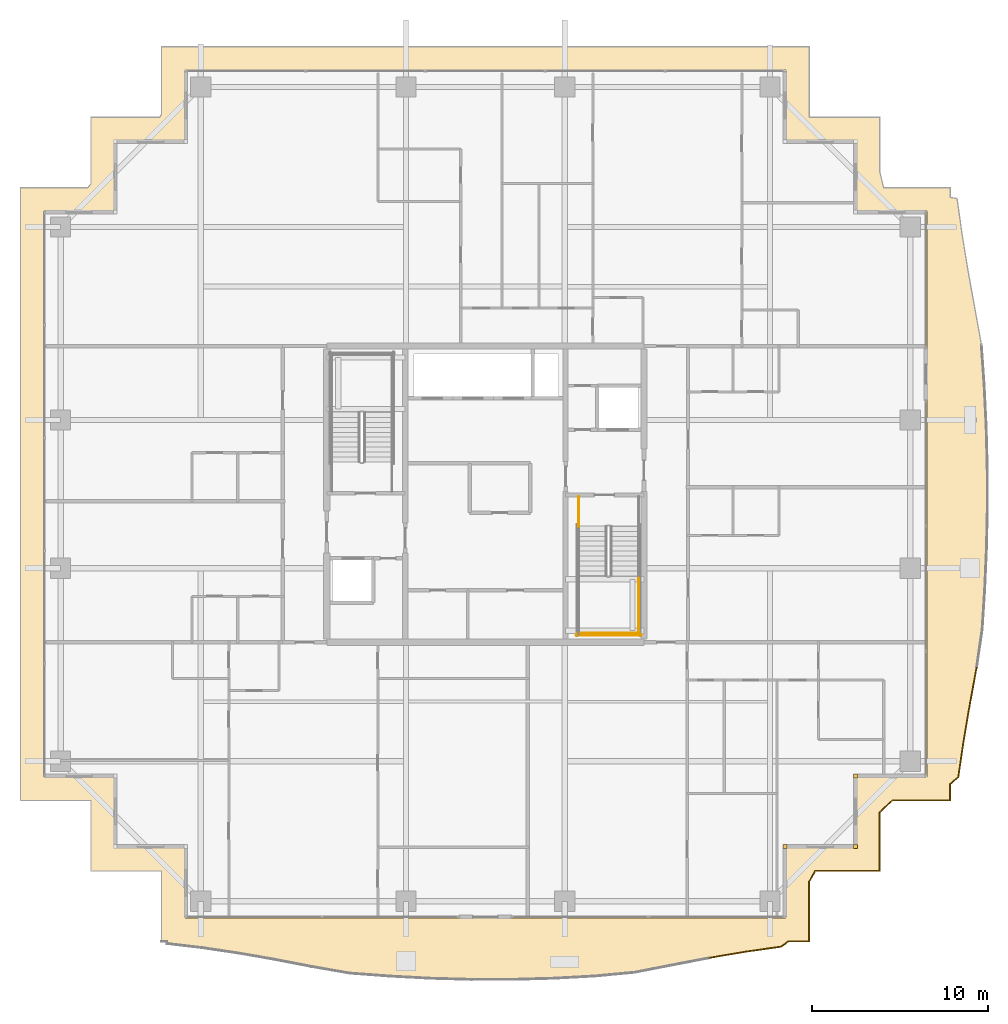
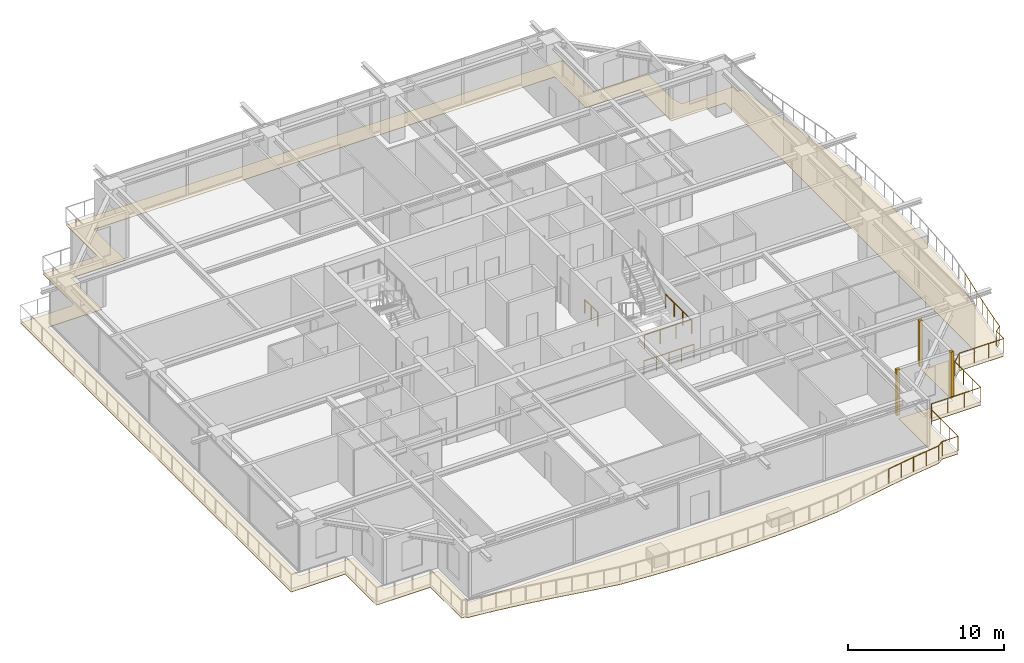
# One storey, part 35 of 37: 6 railings, 4 coverings.
"""IFC4 building model written with IfcOpenShell, lengths in metres."""

import ifcopenshell
import ifcopenshell.guid

model = None  # the IFC model being written
_history = None  # IfcOwnerHistory: only IFC2X3 demands one
_inside = {}  # id of a spatial element -> (the spatial element, [elements in it])
_under = {}  # id of a project, library or spatial element -> (it, [spatial elements below it])
_declared = {}  # id of a project -> (the project, [libraries it declares])
_typed = {}  # id of a type object -> (the type object, [elements of that type])
_made_of = {}  # id of a material, layer set ... -> (it, [elements and type objects made of it])


def new_model(schema):
    """Start an empty IFC model of exactly this schema.

    Asked for "IFC4X3", IfcOpenShell would pick the latest addendum, in which some entities
    have other attributes; the version numbers below select the first issue.
    IFC2X3 requires an IfcOwnerHistory on every rooted entity: one is made here for all.
    """
    global model, _history
    if schema == "IFC4X3":
        model = ifcopenshell.file(schema_version=(4, 3, 0, 0))
    else:
        model = ifcopenshell.file(schema=schema)
    _inside.clear()
    _under.clear()
    _declared.clear()
    _typed.clear()
    _made_of.clear()
    _history = None
    if model.schema == "IFC2X3":
        org = make("IfcOrganization", Name="unknown")
        user = make(
            "IfcPersonAndOrganization",
            ThePerson=make("IfcPerson", FamilyName="unknown"),
            TheOrganization=org,
        )
        app = make(
            "IfcApplication",
            ApplicationDeveloper=org,
            Version="unknown",
            ApplicationFullName="unknown",
            ApplicationIdentifier="unknown",
        )
        _history = make(
            "IfcOwnerHistory",
            OwningUser=user,
            OwningApplication=app,
            ChangeAction="ADDED",
            CreationDate=0,
        )
    return model


def make(cls, **values):
    """One entity of the class cls with the attributes given. An attribute that is None is left unset."""
    return model.create_entity(
        cls, **{name: value for name, value in values.items() if value is not None}
    )


def rooted(cls, **values):
    """An entity with a GlobalId (a new one), such as an element, a storey or a relation."""
    return make(cls, GlobalId=ifcopenshell.guid.new(), OwnerHistory=_history, **values)


def si_unit(unit_type, name, prefix=None):
    """IfcSIUnit, for example si_unit("LENGTHUNIT", "METRE", prefix="MILLI")."""
    return make("IfcSIUnit", UnitType=unit_type, Prefix=prefix, Name=name)


def assignment(units):
    """IfcUnitAssignment: the units of a project."""
    return None if units is None else make("IfcUnitAssignment", Units=units)


def point(xyz):
    """IfcCartesianPoint."""
    return None if xyz is None else make("IfcCartesianPoint", Coordinates=xyz)


def direction(xyz):
    """IfcDirection."""
    return None if xyz is None else make("IfcDirection", DirectionRatios=xyz)


def frame(location, z_axis=None, x_axis=None):
    """IfcAxis2Placement3D, a coordinate frame: its origin and axes. An axis left out is left unset."""
    return make(
        "IfcAxis2Placement3D",
        Location=point(location),
        Axis=direction(z_axis),
        RefDirection=direction(x_axis),
    )


def frame_2d(location, x_axis=None):
    """IfcAxis2Placement2D, a coordinate frame in the plane: its origin and x axis."""
    return make(
        "IfcAxis2Placement2D", Location=point(location), RefDirection=direction(x_axis)
    )


def origin():
    """The frame at (0, 0, 0) with its axes left unset."""
    return frame((0.0, 0.0, 0.0))


def origin_2d():
    """The frame at (0, 0) in the plane with its x axis left unset."""
    return frame_2d((0.0, 0.0))


def place(relative_to, where):
    """IfcLocalPlacement: puts the frame where relative to a parent placement (None: the world)."""
    return make(
        "IfcLocalPlacement", PlacementRelTo=relative_to, RelativePlacement=where
    )


def context(
    kind, dimensions, precision=None, world=None, true_north=None, identifier=None
):
    """IfcGeometricRepresentationContext, for example the 3D "Model" context."""
    return make(
        "IfcGeometricRepresentationContext",
        ContextIdentifier=identifier,
        ContextType=kind,
        CoordinateSpaceDimension=dimensions,
        Precision=precision,
        WorldCoordinateSystem=world,
        TrueNorth=true_north,
    )


def subcontext(parent, identifier, kind, view, scale=None):
    """IfcGeometricRepresentationSubContext, for example "Body" below "Model"."""
    return make(
        "IfcGeometricRepresentationSubContext",
        ContextIdentifier=identifier,
        ContextType=kind,
        ParentContext=parent,
        TargetScale=scale,
        TargetView=view,
    )


def project(units=None, contexts=None):
    """IfcProject with its units and contexts."""
    return rooted(
        "IfcProject",
        Name="project",
        RepresentationContexts=contexts,
        UnitsInContext=assignment(units),
    )


def spatial(cls, under=None, at=None, **own):
    """A site, building, storey or space (cls), placed at a placement, below another one or the project."""
    s = rooted(cls, ObjectPlacement=at, **own)
    if under is not None:
        _under.setdefault(under.id(), (under, []))[1].append(s)
    return s


def polyline(points):
    """IfcPolyline through the points."""
    return make("IfcPolyline", Points=[point(p) for p in points])


def profile(cls, at=None, kind="AREA", **sizes):
    """A parametric profile (cls). Its sizes go by their IFC names, for example OverallWidth=200.0."""
    return make(cls, ProfileType=kind, Position=at, **sizes)


def rectangle(**sizes):
    """IfcRectangleProfileDef."""
    return profile("IfcRectangleProfileDef", **sizes)


def circle(**sizes):
    """IfcCircleProfileDef."""
    return profile("IfcCircleProfileDef", **sizes)


def outline(outer, holes=None, kind="AREA"):
    """IfcArbitraryClosedProfileDef: a profile drawn as a closed curve; with holes, ...WithVoids."""
    if holes is None:
        return make("IfcArbitraryClosedProfileDef", ProfileType=kind, OuterCurve=outer)
    return make(
        "IfcArbitraryProfileDefWithVoids",
        ProfileType=kind,
        OuterCurve=outer,
        InnerCurves=holes,
    )


def extrude(swept, where, along, depth):
    """IfcExtrudedAreaSolid: the profile swept, set in the frame where, extruded along a direction by depth."""
    return make(
        "IfcExtrudedAreaSolid",
        SweptArea=swept,
        Position=where,
        ExtrudedDirection=direction(along),
        Depth=depth,
    )


def shape(context_of_items, identifier, shape_type, items):
    """IfcShapeRepresentation: the items that make up one representation, for example the "Body"."""
    return make(
        "IfcShapeRepresentation",
        ContextOfItems=context_of_items,
        RepresentationIdentifier=identifier,
        RepresentationType=shape_type,
        Items=items,
    )


def source(mapping_origin, context_of_items, identifier, shape_type, items):
    """IfcRepresentationMap: a shape defined once, which mapped items show again and again."""
    return make(
        "IfcRepresentationMap",
        MappingOrigin=mapping_origin,
        MappedRepresentation=shape(context_of_items, identifier, shape_type, items),
    )


def transform(
    local_origin,
    x_axis=None,
    y_axis=None,
    z_axis=None,
    scale=None,
    scale2=None,
    scale3=None,
    uniform=True,
):
    """IfcCartesianTransformationOperator3D, or its non-uniform kind. x_axis, y_axis, z_axis: its Axis1, 2, 3."""
    if uniform:
        return make(
            "IfcCartesianTransformationOperator3D",
            Axis1=direction(x_axis),
            Axis2=direction(y_axis),
            LocalOrigin=point(local_origin),
            Scale=scale,
            Axis3=direction(z_axis),
        )
    return make(
        "IfcCartesianTransformationOperator3DnonUniform",
        Axis1=direction(x_axis),
        Axis2=direction(y_axis),
        LocalOrigin=point(local_origin),
        Scale=scale,
        Axis3=direction(z_axis),
        Scale2=scale2,
        Scale3=scale3,
    )


def mapped(mapping_source, mapping_target):
    """IfcMappedItem: shows the shape of a source again, moved by a transform."""
    return make(
        "IfcMappedItem", MappingSource=mapping_source, MappingTarget=mapping_target
    )


def material(Name=None, Category=None):
    """IfcMaterial."""
    return make("IfcMaterial", Name=Name, Category=Category)


def layer(
    of_material, thickness, ventilated=None, Name=None, Category=None, Priority=None
):
    """IfcMaterialLayer: one layer of a wall or slab, of a material (None: an air gap)."""
    return make(
        "IfcMaterialLayer",
        Material=of_material,
        LayerThickness=thickness,
        IsVentilated=ventilated,
        Name=Name,
        Category=Category,
        Priority=Priority,
    )


def layer_set(layers, Name=None):
    """IfcMaterialLayerSet."""
    return make("IfcMaterialLayerSet", MaterialLayers=layers, LayerSetName=Name)


def made_of(thing, what):
    """Note that an element or type object is made of a material, layer set ...; save() writes the relation."""
    if what is not None:
        _made_of.setdefault(what.id(), (what, []))[1].append(thing)
    return thing


def type_object(cls, material=None, **own):
    """A type object (cls), such as IfcWallType, which elements share."""
    return made_of(rooted(cls, **own), material)


def element(
    cls,
    number,
    at=None,
    inside=None,
    cuts=None,
    type_object=None,
    material=None,
    context=None,
    identifier="Body",
    shape_type=None,
    held_by="IfcProductDefinitionShape",
    body=None,
    shapes=None,
    **own,
):
    """One element of the class cls, such as IfcWall. Its Tag is "e" and its number.

    at: its placement. inside: the storey or other place that contains it. cuts: it is an
    opening in that element (IfcRelVoidsElement). A single representation is given by context,
    identifier, shape_type and body (its items); several are given by shapes. held_by: the class
    of the entity that holds the representations. save() writes the other relations.
    """
    e = rooted(cls, Tag="e%d" % number, ObjectPlacement=at, **own)
    if body is not None:
        shapes = [shape(context, identifier, shape_type, body)]
    if shapes is not None:
        e.Representation = make(held_by, Representations=shapes)
    if inside is not None:
        _inside.setdefault(inside.id(), (inside, []))[1].append(e)
    if cuts is not None:
        rooted(
            "IfcRelVoidsElement", RelatingBuildingElement=cuts, RelatedOpeningElement=e
        )
    if type_object is not None:
        _typed.setdefault(type_object.id(), (type_object, []))[1].append(e)
    return made_of(e, material)


def aggregate(whole, parts):
    """IfcRelAggregates: a whole, such as a stair, and the parts it consists of."""
    return rooted("IfcRelAggregates", RelatingObject=whole, RelatedObjects=parts)


def save(model, path):
    """Write the relations noted so far, then the file.

    IfcRelAggregates (storeys below a building ...), IfcRelContainedInSpatialStructure (elements
    in a storey), IfcRelDefinesByType, IfcRelAssociatesMaterial and IfcRelDeclares: one each for
    every whole, place, type object, material and project.
    """
    for whole, parts in _under.values():
        aggregate(whole, parts)
    for where, things in _inside.values():
        rooted(
            "IfcRelContainedInSpatialStructure",
            RelatedElements=things,
            RelatingStructure=where,
        )
    for kind, things in _typed.values():
        rooted("IfcRelDefinesByType", RelatedObjects=things, RelatingType=kind)
    for what, things in _made_of.values():
        rooted("IfcRelAssociatesMaterial", RelatedObjects=things, RelatingMaterial=what)
    for by, libraries in _declared.values():
        rooted("IfcRelDeclares", RelatingContext=by, RelatedDefinitions=libraries)
    model.write(path)


model = new_model("IFC4")

# Units and contexts
model_context = context("Model", 3, precision=1e-05, world=origin(), true_north=direction((0.0, 1.0)))
body_context = subcontext(model_context, "Body", "Model", "MODEL_VIEW")
ifc_project = project(units=[si_unit("LENGTHUNIT", "METRE"), si_unit("AREAUNIT", "SQUARE_METRE"), si_unit("VOLUMEUNIT", "CUBIC_METRE"), si_unit("PLANEANGLEUNIT", "RADIAN"), si_unit("MASSUNIT", "GRAM", prefix="KILO")], contexts=[model_context])

# Site, building, storey
site_placement = place(None, origin())
site = spatial("IfcSite", under=ifc_project, at=site_placement, CompositionType="ELEMENT")
building_placement = place(site_placement, origin())
building = spatial("IfcBuilding", under=site, at=building_placement, Name="Serunith Strait Residences", CompositionType="ELEMENT")
storey_placement = place(building_placement, frame((0.0, 0.0, 260.5)))
storey = spatial("IfcBuildingStorey", under=building, at=storey_placement, Name="L65", CompositionType="ELEMENT", Elevation=260.5)

# Covering
ifc_material_1 = material(Name="Golden Teak Exterior Timber Boarding", Category="wood")
ifc_layer_1 = layer(ifc_material_1, 0.034912109375, Name="Golden Teak Exterior Timber Boarding")
ifc_layer_set_1 = layer_set([ifc_layer_1], Name="Golden Teak Exterior Timber Boarding")
covering_type_1 = type_object("IfcCoveringType", Name="COV-TEAK-SOFFIT", PredefinedType="CEILING", material=ifc_layer_set_1)
covering_placement = place(storey_placement, frame((0.0, 0.0, -0.324951171875)))
element("IfcCovering", 1, at=covering_placement, inside=storey, type_object=covering_type_1, Name="L65 Golden-Teak Balcony Soffit Lining", PredefinedType="CEILING", context=body_context, shape_type="SweptSolid", body=[
    extrude(outline(polyline([(14.02001953125, -0.179931640625), (14.02001953125, 3.820068359375), (10.02001953125, 3.820068359375), (10.02001953125, 7.820068359375), (6.02001953125, 7.820068359375), (6.02001953125, 42.580078125), (9.824951171875, 42.580078125), (10.02001953125, 42.802001953125), (10.02001953125, 46.580078125), (13.9189453125, 46.580078125), (14.02001953125, 46.734619140625), (14.02001953125, 50.580078125), (50.780029296875, 50.580078125), (50.780029296875, 46.580078125), (54.780029296875, 46.580078125), (54.780029296875, 43.4599609375), (54.995361328125, 42.580078125), (58.780029296875, 42.580078125), (58.780029296875, 42.033203125), (59.159423828125, 41.96923828125), (59.444091796875, 39.939208984375), (59.78076171875, 37.886474609375), (60.15771484375, 35.794189453125), (60.5498046875, 33.64501953125), (60.708251953125, 31.380615234375), (60.821044921875, 29.084228515625), (60.88330078125, 26.7666015625), (60.889892578125, 24.440185546875), (60.84033203125, 22.118896484375), (60.739013671875, 19.815673828125), (60.594482421875, 17.54052734375), (60.27587890625, 15.3505859375), (59.891357421875, 13.2412109375), (59.541015625, 11.17724609375), (59.240234375, 9.140625), (58.780029296875, 8.750244140625), (58.780029296875, 7.820068359375), (55.49658203125, 7.820068359375), (54.780029296875, 7.149169921875), (54.780029296875, 3.820068359375), (51.115478515625, 3.820068359375), (50.780029296875, 3.2099609375), (50.780029296875, -0.179931640625), (49.60595703125, -0.179931640625), (49.167724609375, -0.48681640625), (47.145263671875, -0.7734375), (45.10302734375, -1.119873046875), (43.021728515625, -1.5166015625), (40.88037109375, -1.937255859375), (38.619873046875, -2.148681640625), (36.311279296875, -2.274658203125), (33.977783203125, -2.341552734375), (31.635009765625, -2.342529296875), (29.29931640625, -2.278076171875), (26.986083984375, -2.155029296875), (24.70654296875, -1.986328125), (22.533447265625, -1.607177734375), (20.43603515625, -1.203125), (18.3828125, -0.8447265625), (16.35400390625, -0.545166015625), (14.33447265625, -0.304443359375), (14.33544921875, -0.179931640625), (14.02001953125, -0.179931640625)]), holes=[polyline([(49.455078125, 1.14501953125), (49.455078125, 5.14501953125), (53.455078125, 5.14501953125), (53.455078125, 9.14501953125), (57.455078125, 9.14501953125), (57.455078125, 41.2548828125), (53.455078125, 41.2548828125), (53.455078125, 45.2548828125), (49.455078125, 45.2548828125), (49.455078125, 49.2548828125), (15.344970703125, 49.2548828125), (15.344970703125, 45.2548828125), (11.344970703125, 45.2548828125), (11.344970703125, 41.2548828125), (7.344970703125, 41.2548828125), (7.344970703125, 9.14501953125), (11.344970703125, 9.14501953125), (11.344970703125, 5.14501953125), (15.344970703125, 5.14501953125), (15.344970703125, 1.14501953125), (49.455078125, 1.14501953125)])]), origin(), (0.0, 0.0, 1.0), 0.034912109375),
])

# Railings
ifc_material_2 = material(Name="Stainless Steel & Laminated Glass Balustrade", Category="steel")
railing_type_1 = type_object("IfcRailingType", Name="RLG-BALC-1150", PredefinedType="BALUSTRADE", material=ifc_material_2)
railing_1_placement = place(storey_placement, frame((60.27587890625, 15.3505859375, -0.050048828125)))
element("IfcRailing", 2, at=railing_1_placement, inside=storey, type_object=railing_type_1, Name="L65 Swirling Balcony Perimeter Balustrade 5", PredefinedType="BALUSTRADE", context=body_context, shape_type="SweptSolid", body=[
    extrude(circle(Radius=0.02392578125, at=origin_2d()), frame((-0.000244140625, -0.001953125, 1.1259765625), z_axis=(-0.179336322167, -0.983787824458, 0.0), x_axis=(0.983787824458, -0.179336322167, 0.0)), (0.0, 0.0, 1.0), 2.14013671875),
    extrude(circle(Radius=0.02392578125, at=origin_2d()), frame((-0.384765625, -2.111328125, 1.1259765625), z_axis=(-0.16734839991, -0.985897820795, 0.0), x_axis=(0.985897820795, -0.16734839991, 0.0)), (0.0, 0.0, 1.0), 2.089599609375),
    extrude(circle(Radius=0.02392578125, at=origin_2d()), frame((-0.735107421875, -4.17529296875, 1.1259765625), z_axis=(-0.146101669001, -0.989269580203, 0.0), x_axis=(0.989269580203, -0.146101669001, 0.0)), (0.0, 0.0, 1.0), 2.0546875),
    extrude(circle(Radius=0.02392578125, at=origin_2d()), frame((-1.037109375, -6.211181640625, 1.1259765625), z_axis=(-0.762587751379, -0.646884782204, 0.0), x_axis=(0.646884782204, -0.762587751379, 0.0)), (0.0, 0.0, 1.0), 0.599365234375),
    extrude(circle(Radius=0.02392578125, at=origin_2d()), frame((-1.495849609375, -6.602294921875, 1.1259765625), z_axis=(0.0, -1.0, 0.0), x_axis=(1.0, 0.0, 0.0)), (0.0, 0.0, 1.0), 0.92626953125),
    extrude(circle(Radius=0.02392578125, at=origin_2d()), frame((-1.497802734375, -7.530517578125, 1.1259765625), z_axis=(-1.0, 0.0, 0.0), x_axis=(0.0, -1.0, 0.0)), (0.0, 0.0, 1.0), 3.279541015625),
    extrude(circle(Radius=0.02392578125, at=origin_2d()), frame((-4.78076171875, -7.531982421875, 1.1259765625), z_axis=(-0.729979154654, -0.683469409536, 0.0), x_axis=(0.683469409536, -0.729979154654, 0.0)), (0.0, 0.0, 1.0), 0.9775390625),
    extrude(circle(Radius=0.02392578125, at=origin_2d()), frame((-5.495849609375, -8.203369140625, 1.1259765625), z_axis=(0.0, -1.0, 0.0), x_axis=(1.0, 0.0, 0.0)), (0.0, 0.0, 1.0), 3.3251953125),
    extrude(circle(Radius=0.02099609375, at=origin_2d()), origin(), (0.0, 0.0, 1.0), 1.099853515625),
    extrude(circle(Radius=0.02099609375, at=origin_2d()), frame((-0.1923828125, -1.0546875, 0.0)), (0.0, 0.0, 1.0), 1.099853515625),
    extrude(circle(Radius=0.02099609375, at=origin_2d()), frame((-0.384521484375, -2.109375, 0.0)), (0.0, 0.0, 1.0), 1.099853515625),
    extrude(circle(Radius=0.02099609375, at=origin_2d()), frame((-0.5595703125, -3.141357421875, 0.0)), (0.0, 0.0, 1.0), 1.099853515625),
    extrude(circle(Radius=0.02099609375, at=origin_2d()), frame((-0.73486328125, -4.17333984375, 0.0)), (0.0, 0.0, 1.0), 1.099853515625),
    extrude(circle(Radius=0.02099609375, at=origin_2d()), frame((-0.88525390625, -5.191650390625, 0.0)), (0.0, 0.0, 1.0), 1.099853515625),
    extrude(circle(Radius=0.02099609375, at=origin_2d()), frame((-1.03564453125, -6.2099609375, 0.0)), (0.0, 0.0, 1.0), 1.099853515625),
    extrude(circle(Radius=0.02099609375, at=origin_2d()), frame((-1.495849609375, -6.600341796875, 0.0)), (0.0, 0.0, 1.0), 1.099853515625),
    extrude(circle(Radius=0.02099609375, at=origin_2d()), frame((-1.495849609375, -7.530517578125, 0.0)), (0.0, 0.0, 1.0), 1.099853515625),
    extrude(circle(Radius=0.02099609375, at=origin_2d()), frame((-2.59033203125, -7.530517578125, 0.0)), (0.0, 0.0, 1.0), 1.099853515625),
    extrude(circle(Radius=0.02099609375, at=origin_2d()), frame((-3.684814453125, -7.530517578125, 0.0)), (0.0, 0.0, 1.0), 1.099853515625),
    extrude(circle(Radius=0.02099609375, at=origin_2d()), frame((-4.779296875, -7.530517578125, 0.0)), (0.0, 0.0, 1.0), 1.099853515625),
    extrude(circle(Radius=0.02099609375, at=origin_2d()), frame((-5.495849609375, -8.201416015625, 0.0)), (0.0, 0.0, 1.0), 1.099853515625),
    extrude(circle(Radius=0.02099609375, at=origin_2d()), frame((-5.495849609375, -9.31103515625, 0.0)), (0.0, 0.0, 1.0), 1.099853515625),
    extrude(circle(Radius=0.02099609375, at=origin_2d()), frame((-5.495849609375, -10.4208984375, 0.0)), (0.0, 0.0, 1.0), 1.099853515625),
    extrude(circle(Radius=0.02099609375, at=origin_2d()), frame((-5.495849609375, -11.530517578125, 0.0)), (0.0, 0.0, 1.0), 1.099853515625),
])
railing_2_placement = place(storey_placement, frame((54.780029296875, 3.820068359375, -0.050048828125)))
element("IfcRailing", 3, at=railing_2_placement, inside=storey, type_object=railing_type_1, Name="L65 Swirling Balcony Perimeter Balustrade 6", PredefinedType="BALUSTRADE", context=body_context, shape_type="SweptSolid", body=[
    extrude(circle(Radius=0.02392578125, at=origin_2d()), frame((-0.001953125, 0.0, 1.1259765625), z_axis=(-1.0, 0.0, 0.0), x_axis=(0.0, -1.0, 0.0)), (0.0, 0.0, 1.0), 3.66064453125),
    extrude(circle(Radius=0.02392578125, at=origin_2d()), frame((-3.66552734375, -0.001708984375, 1.1259765625), z_axis=(-0.481797598162, -0.876282531154, 0.0), x_axis=(0.876282531154, -0.481797598162, 0.0)), (0.0, 0.0, 1.0), 0.692138671875),
    extrude(circle(Radius=0.02392578125, at=origin_2d()), frame((-4.0, -0.612060546875, 1.1259765625), z_axis=(0.0, -1.0, 0.0), x_axis=(1.0, 0.0, 0.0)), (0.0, 0.0, 1.0), 3.385986328125),
    extrude(circle(Radius=0.02392578125, at=origin_2d()), frame((-4.001953125, -4.0, 1.1259765625), z_axis=(-1.0, 0.0, 0.0), x_axis=(0.0, -1.0, 0.0)), (0.0, 0.0, 1.0), 1.170166015625),
    extrude(circle(Radius=0.02392578125, at=origin_2d()), frame((-5.17578125, -4.001220703125, 1.1259765625), z_axis=(-0.819124712978, -0.573615467529, 0.0), x_axis=(0.573615467529, -0.819124712978, 0.0)), (0.0, 0.0, 1.0), 0.531005859375),
    extrude(circle(Radius=0.02392578125, at=origin_2d()), frame((-5.6142578125, -4.30712890625, 1.1259765625), z_axis=(-0.990106644528, -0.14031690013, 0.0), x_axis=(0.14031690013, -0.990106644528, 0.0)), (0.0, 0.0, 1.0), 2.03857421875),
    extrude(circle(Radius=0.02392578125, at=origin_2d()), frame((-7.63671875, -4.59375, 1.1259765625), z_axis=(-0.985915179667, -0.167246101608, 0.0), x_axis=(0.167246101608, -0.985915179667, 0.0)), (0.0, 0.0, 1.0), 2.0673828125),
    extrude(circle(Radius=0.02099609375, at=origin_2d()), origin(), (0.0, 0.0, 1.0), 1.099853515625),
    extrude(circle(Radius=0.02099609375, at=origin_2d()), frame((-1.221435546875, 0.0, 0.0)), (0.0, 0.0, 1.0), 1.099853515625),
    extrude(circle(Radius=0.02099609375, at=origin_2d()), frame((-2.443115234375, 0.0, 0.0)), (0.0, 0.0, 1.0), 1.099853515625),
    extrude(circle(Radius=0.02099609375, at=origin_2d()), frame((-3.66455078125, 0.0, 0.0)), (0.0, 0.0, 1.0), 1.099853515625),
    extrude(circle(Radius=0.02099609375, at=origin_2d()), frame((-4.0, -0.610107421875, 0.0)), (0.0, 0.0, 1.0), 1.099853515625),
    extrude(circle(Radius=0.02099609375, at=origin_2d()), frame((-4.0, -1.739990234375, 0.0)), (0.0, 0.0, 1.0), 1.099853515625),
    extrude(circle(Radius=0.02099609375, at=origin_2d()), frame((-4.0, -2.8701171875, 0.0)), (0.0, 0.0, 1.0), 1.099853515625),
    extrude(circle(Radius=0.02099609375, at=origin_2d()), frame((-4.0, -4.0, 0.0)), (0.0, 0.0, 1.0), 1.099853515625),
    extrude(circle(Radius=0.02099609375, at=origin_2d()), frame((-5.174072265625, -4.0, 0.0)), (0.0, 0.0, 1.0), 1.099853515625),
    extrude(circle(Radius=0.02099609375, at=origin_2d()), frame((-5.6123046875, -4.306884765625, 0.0)), (0.0, 0.0, 1.0), 1.099853515625),
    extrude(circle(Radius=0.02099609375, at=origin_2d()), frame((-6.62353515625, -4.4501953125, 0.0)), (0.0, 0.0, 1.0), 1.099853515625),
    extrude(circle(Radius=0.02099609375, at=origin_2d()), frame((-7.634765625, -4.593505859375, 0.0)), (0.0, 0.0, 1.0), 1.099853515625),
    extrude(circle(Radius=0.02099609375, at=origin_2d()), frame((-8.65576171875, -4.7666015625, 0.0)), (0.0, 0.0, 1.0), 1.099853515625),
    extrude(circle(Radius=0.02099609375, at=origin_2d()), frame((-9.677001953125, -4.93994140625, 0.0)), (0.0, 0.0, 1.0), 1.099853515625),
])
ifc_material_3 = material(Name="Brushed stainless steel 316L", Category="steel")
railing_type_2 = type_object("IfcRailingType", Name="RLG-STAIR-GUARD", PredefinedType="BALUSTRADE", material=ifc_material_3)
railing_3_placement = place(storey_placement, frame((41.10009765625, 20.570068359375, 1.925048828125)))
element("IfcRailing", 4, at=railing_3_placement, inside=storey, type_object=railing_type_2, Name="L65 ST-2 stair guard 4", PredefinedType="BALUSTRADE", context=body_context, shape_type="SweptSolid", body=[
    extrude(circle(Radius=0.02392578125, at=origin_2d()), frame((0.0, -0.001953125, 1.076171875), z_axis=(0.0, -1.0, 0.0), x_axis=(1.0, 0.0, 0.0)), (0.0, 0.0, 1.0), 3.316162109375),
    extrude(circle(Radius=0.02099609375, at=origin_2d()), origin(), (0.0, 0.0, 1.0), 1.050048828125),
    extrude(circle(Radius=0.02099609375, at=origin_2d()), frame((0.0, -1.106689453125, 0.0)), (0.0, 0.0, 1.0), 1.050048828125),
    extrude(circle(Radius=0.02099609375, at=origin_2d()), frame((0.0, -2.21337890625, 0.0)), (0.0, 0.0, 1.0), 1.050048828125),
    extrude(circle(Radius=0.02099609375, at=origin_2d()), frame((0.0, -3.320068359375, 0.0)), (0.0, 0.0, 1.0), 1.050048828125),
])
railing_4_placement = place(storey_placement, frame((37.64990234375, 17.300048828125, 1.925048828125)))
element("IfcRailing", 5, at=railing_4_placement, inside=storey, type_object=railing_type_2, Name="L65 ST-2 stair guard 5", PredefinedType="BALUSTRADE", context=body_context, shape_type="SweptSolid", body=[
    extrude(circle(Radius=0.02392578125, at=origin_2d()), frame((0.001953125, 0.0, 1.076171875), z_axis=(1.0, 0.0, 0.0), x_axis=(0.0, 1.0, 0.0)), (0.0, 0.0, 1.0), 3.49609375),
    extrude(circle(Radius=0.02099609375, at=origin_2d()), origin(), (0.0, 0.0, 1.0), 1.050048828125),
    extrude(circle(Radius=0.02099609375, at=origin_2d()), frame((1.166748046875, 0.0, 0.0)), (0.0, 0.0, 1.0), 1.050048828125),
    extrude(circle(Radius=0.02099609375, at=origin_2d()), frame((2.333251953125, 0.0, 0.0)), (0.0, 0.0, 1.0), 1.050048828125),
    extrude(circle(Radius=0.02099609375, at=origin_2d()), frame((3.5, 0.0, 0.0)), (0.0, 0.0, 1.0), 1.050048828125),
])
railing_5_placement = place(storey_placement, frame((37.699951171875, 25.050048828125, 0.0)))
element("IfcRailing", 6, at=railing_5_placement, inside=storey, type_object=railing_type_2, Name="L65 ST-2 stair guard 8", PredefinedType="BALUSTRADE", context=body_context, shape_type="SweptSolid", body=[
    extrude(circle(Radius=0.02392578125, at=origin_2d()), frame((0.0, -0.001953125, 1.076171875), z_axis=(0.0, -1.0, 0.0), x_axis=(1.0, 0.0, 0.0)), (0.0, 0.0, 1.0), 1.676025390625),
    extrude(circle(Radius=0.02099609375, at=origin_2d()), origin(), (0.0, 0.0, 1.0), 1.050048828125),
    extrude(circle(Radius=0.02099609375, at=origin_2d()), frame((0.0, -0.83984375, 0.0)), (0.0, 0.0, 1.0), 1.050048828125),
    extrude(circle(Radius=0.02099609375, at=origin_2d()), frame((0.0, -1.679931640625, 0.0)), (0.0, 0.0, 1.0), 1.050048828125),
])
railing_6_placement = place(storey_placement, frame((37.550048828125, 17.199951171875, 0.0)))
element("IfcRailing", 7, at=railing_6_placement, inside=storey, type_object=railing_type_2, Name="L65 ST-2 stair guard 12", PredefinedType="BALUSTRADE", context=body_context, shape_type="SweptSolid", body=[
    extrude(circle(Radius=0.02392578125, at=origin_2d()), frame((0.001953125, 0.0, 1.076171875), z_axis=(1.0, 0.0, 0.0), x_axis=(0.0, 1.0, 0.0)), (0.0, 0.0, 1.0), 3.696044921875),
    extrude(circle(Radius=0.02099609375, at=origin_2d()), origin(), (0.0, 0.0, 1.0), 1.050048828125),
    extrude(circle(Radius=0.02099609375, at=origin_2d()), frame((0.925048828125, 0.0, 0.0)), (0.0, 0.0, 1.0), 1.050048828125),
    extrude(circle(Radius=0.02099609375, at=origin_2d()), frame((1.85009765625, 0.0, 0.0)), (0.0, 0.0, 1.0), 1.050048828125),
    extrude(circle(Radius=0.02099609375, at=origin_2d()), frame((2.77490234375, 0.0, 0.0)), (0.0, 0.0, 1.0), 1.050048828125),
    extrude(circle(Radius=0.02099609375, at=origin_2d()), frame((3.699951171875, 0.0, 0.0)), (0.0, 0.0, 1.0), 1.050048828125),
])

# Coverings
ifc_material_4 = material(Name="Pale-Champagne Anodised Aluminium", Category="aluminium")
ifc_layer_2 = layer(ifc_material_4, 0.219970703125, Name="Pale-Champagne Anodised Aluminium")
ifc_layer_set_2 = layer_set([ifc_layer_2], Name="Pale-Champagne Anodised Aluminium")
covering_type_2 = type_object("IfcCoveringType", Name="COV-CORN-TRIM", PredefinedType="CLADDING", material=ifc_layer_set_2)
shared_shape = source(origin(), body_context, "Body", "SweptSolid", [
    extrude(rectangle(XDim=0.221923828125, YDim=0.221923828125, at=origin_2d()), origin(), (0.0, 0.0, 1.0), 3.574951171875),
])
for number, where, z_axis, x_axis, name in (
    (8, (49.39990234375, 5.199951171875, 0.0), (0.0, 0.0, 1.0), (1.0, 0.0, 0.0), "L65 Girih Serrated Corner Trim Post 02"),
    (9, (53.39990234375, 5.199951171875, 0.0), (0.0, 0.0, 1.0), (1.0, 0.0, 0.0), "L65 Girih Serrated Corner Trim Post 03"),
    (10, (53.39990234375, 9.199951171875, 0.0), (0.0, 0.0, 1.0), (1.0, 0.0, 0.0), "L65 Girih Serrated Corner Trim Post 04"),
):
    element("IfcCovering", number, at=place(storey_placement, frame(where, z_axis=z_axis, x_axis=x_axis)), inside=storey, type_object=covering_type_2, Name=name, PredefinedType="CLADDING", context=body_context, shape_type="MappedRepresentation", body=[
        mapped(shared_shape, transform((0.0, 0.0, 0.0), scale=1.0)),
    ])

save(model, "model.ifc")
